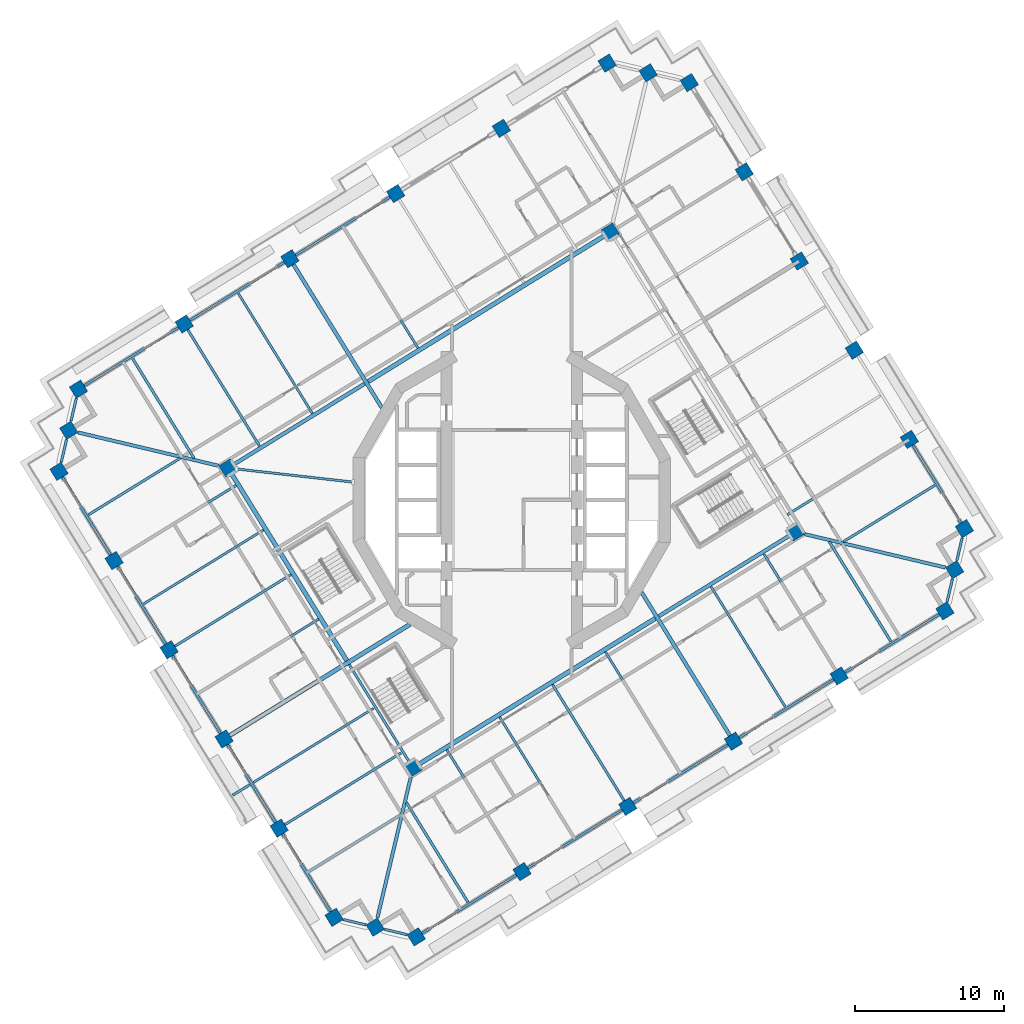
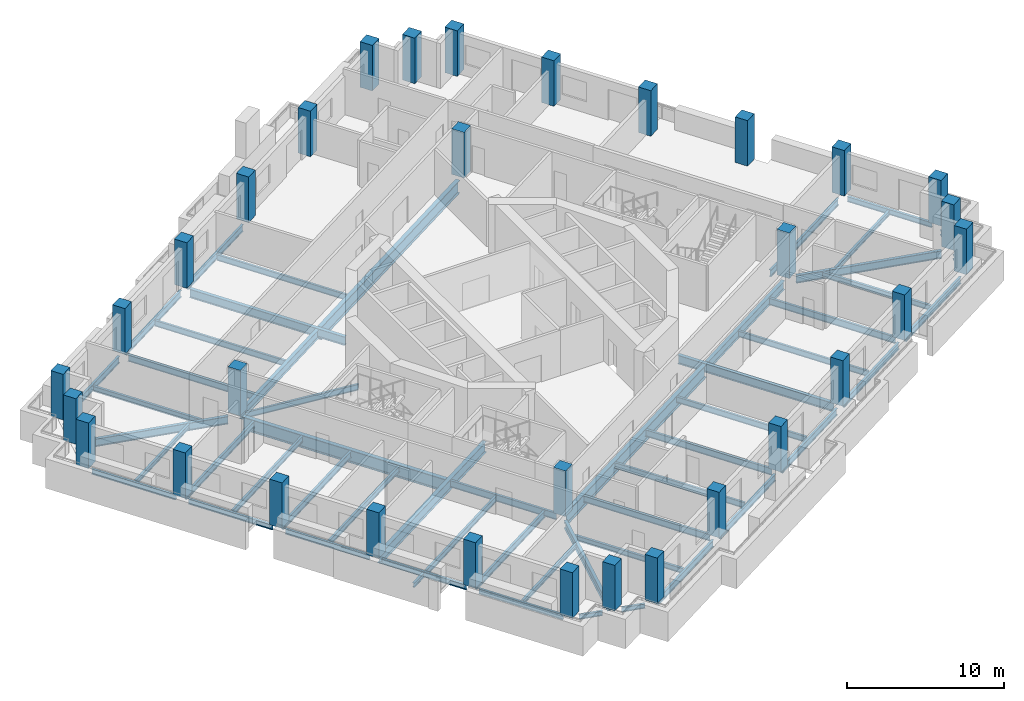
# One storey, part 1 of 20: 56 beams, 32 columns.
"""IFC4 building model written with IfcOpenShell, lengths in metres."""

from ifc_helpers import new_model, si_unit, direction, frame, origin, origin_2d, place, context, subcontext, project, spatial, rectangle, i_section, extrude, material, material_profile, profile_set, type_object, element, save


model = new_model("IFC4")

# Units and contexts
model_context = context("Model", 3, precision=1e-05, world=origin(), true_north=direction((0.0, 1.0)))
body_context = subcontext(model_context, "Body", "Model", "MODEL_VIEW")
ifc_project = project(units=[si_unit("LENGTHUNIT", "METRE"), si_unit("AREAUNIT", "SQUARE_METRE"), si_unit("VOLUMEUNIT", "CUBIC_METRE"), si_unit("PLANEANGLEUNIT", "RADIAN"), si_unit("MASSUNIT", "GRAM", prefix="KILO")], contexts=[model_context])

# Site, building, storey
site_placement = place(None, origin())
site = spatial("IfcSite", under=ifc_project, at=site_placement, CompositionType="ELEMENT")
building_placement = place(site_placement, origin())
building = spatial("IfcBuilding", under=site, at=building_placement, Name="Cantera Rosa Tower", CompositionType="ELEMENT")
storey_placement = place(building_placement, frame((0.0, 0.0, 181.800048828125)))
storey = spatial("IfcBuildingStorey", under=building, at=storey_placement, Name="L40", CompositionType="ELEMENT", Elevation=181.800048828125)

# Columns
ifc_material_1 = material(Name="Concrete C60/75", Category="concrete")
ifc_material_profile_1 = material_profile(ifc_material_1, rectangle(XDim=0.89990234375, YDim=0.89990234375, at=origin_2d()), Name="RC COLUMN RC900X900 C60/75")
ifc_profile_set_1 = profile_set([ifc_material_profile_1], Name="Concrete C60/75")
column_type_1 = type_object("IfcColumnType", Name="RC COLUMN RC900X900 C60/75", PredefinedType="COLUMN", material=ifc_profile_set_1)
for number, where, z_axis, x_axis, name in (
    (1, (30.321044921875, -1.917724609375, 0.0), (0.0, 0.0, 1.0), (0.851116672434, 0.52497658034, 0.0), "C-Z3-01 L40"),
    (2, (26.6357421875, 4.05712890625, 0.0), (0.0, 0.0, 1.0), (0.851116672434, 0.52497658034, 0.0), "C-Z3-02 L40"),
    (3, (22.950439453125, 10.031982421875, 0.0), (0.0, 0.0, 1.0), (0.851116672434, 0.52497658034, 0.0), "C-Z3-03 L40"),
    (4, (19.26513671875, 16.0068359375, 0.0), (0.0, 0.0, 1.0), (0.851116672434, 0.52497658034, 0.0), "C-Z3-04 L40"),
    (5, (15.57958984375, 21.981689453125, 0.0), (0.0, 0.0, 1.0), (0.851116672434, 0.52497658034, 0.0), "C-Z3-05 L40"),
    (6, (11.894287109375, 27.95654296875, 0.0), (0.0, 0.0, 1.0), (0.851116672434, 0.52497658034, 0.0), "C-Z3-06 L40"),
    (7, (9.14208984375, 28.60888671875, 0.0), (0.0, 0.0, 1.0), (0.851116672434, 0.52497658034, 0.0), "C-Z3-07 L40"),
    (8, (6.389892578125, 29.260986328125, 0.0), (0.0, 0.0, 1.0), (0.851116672434, 0.52497658034, 0.0), "C-Z3-08 L40"),
    (9, (-0.69140625, 24.893310546875, 0.0), (0.0, 0.0, 1.0), (0.851116672434, 0.52497658034, 0.0), "C-Z3-09 L40"),
    (10, (-7.772705078125, 20.525390625, 0.0), (0.0, 0.0, 1.0), (0.851116672434, 0.52497658034, 0.0), "C-Z3-10 L40"),
    (11, (-14.85400390625, 16.15771484375, 0.0), (0.0, 0.0, 1.0), (0.851116672434, 0.52497658034, 0.0), "C-Z3-11 L40"),
    (12, (-21.935302734375, 11.789794921875, 0.0), (0.0, 0.0, 1.0), (0.851116672434, 0.52497658034, 0.0), "C-Z3-12 L40"),
    (13, (-29.016357421875, 7.422119140625, 0.0), (0.0, 0.0, 1.0), (0.851116672434, 0.52497658034, 0.0), "C-Z3-13 L40"),
    (14, (-29.668701171875, 4.669921875, 0.0), (0.0, 0.0, 1.0), (0.851116672434, 0.52497658034, 0.0), "C-Z3-14 L40"),
    (15, (-30.321044921875, 1.917724609375, 0.0), (0.0, 0.0, 1.0), (0.851116672434, 0.52497658034, 0.0), "C-Z3-15 L40"),
    (16, (-26.6357421875, -4.05712890625, 0.0), (0.0, 0.0, 1.0), (0.851116672434, 0.52497658034, 0.0), "C-Z3-16 L40"),
    (17, (-22.950439453125, -10.031982421875, 0.0), (0.0, 0.0, 1.0), (0.851116672434, 0.52497658034, 0.0), "C-Z3-17 L40"),
    (18, (-19.26513671875, -16.0068359375, 0.0), (0.0, 0.0, 1.0), (0.851116672434, 0.52497658034, 0.0), "C-Z3-18 L40"),
    (19, (-15.57958984375, -21.981689453125, 0.0), (0.0, 0.0, 1.0), (0.851116672434, 0.52497658034, 0.0), "C-Z3-19 L40"),
    (20, (-11.894287109375, -27.95654296875, 0.0), (0.0, 0.0, 1.0), (0.851116672434, 0.52497658034, 0.0), "C-Z3-20 L40"),
    (21, (-9.14208984375, -28.60888671875, 0.0), (0.0, 0.0, 1.0), (0.851116672434, 0.52497658034, 0.0), "C-Z3-21 L40"),
    (22, (-6.389892578125, -29.260986328125, 0.0), (0.0, 0.0, 1.0), (0.851116672434, 0.52497658034, 0.0), "C-Z3-22 L40"),
    (23, (0.69140625, -24.893310546875, 0.0), (0.0, 0.0, 1.0), (0.851116672434, 0.52497658034, 0.0), "C-Z3-23 L40"),
    (24, (7.772705078125, -20.525390625, 0.0), (0.0, 0.0, 1.0), (0.851116672434, 0.52497658034, 0.0), "C-Z3-24 L40"),
    (25, (14.85400390625, -16.15771484375, 0.0), (0.0, 0.0, 1.0), (0.851116672434, 0.52497658034, 0.0), "C-Z3-25 L40"),
    (26, (21.935302734375, -11.789794921875, 0.0), (0.0, 0.0, 1.0), (0.851116672434, 0.52497658034, 0.0), "C-Z3-26 L40"),
    (27, (29.016357421875, -7.422119140625, 0.0), (0.0, 0.0, 1.0), (0.851116672434, 0.52497658034, 0.0), "C-Z3-27 L40"),
    (28, (29.668701171875, -4.669921875, 0.0), (0.0, 0.0, 1.0), (0.851116672434, 0.52497658034, 0.0), "C-Z3-28 L40"),
):
    element("IfcColumn", number, at=place(storey_placement, frame(where, z_axis=z_axis, x_axis=x_axis)), inside=storey, type_object=column_type_1, Name=name, PredefinedType="COLUMN", context=body_context, shape_type="SweptSolid", body=[
        extrude(rectangle(XDim=0.89990234375, YDim=0.89990234375, at=origin_2d()), origin(), (0.0, 0.0, 1.0), 3.550048828125),
    ])
ifc_material_2 = material(Name="Concrete C60/75", Category="concrete")
ifc_material_profile_2 = material_profile(ifc_material_2, rectangle(XDim=0.89990234375, YDim=0.89990234375, at=origin_2d()), Name="RC RING COLUMN RC900X900 C60/75")
ifc_profile_set_2 = profile_set([ifc_material_profile_2], Name="Concrete C60/75")
column_type_2 = type_object("IfcColumnType", Name="RC RING COLUMN RC900X900 C60/75", PredefinedType="COLUMN", material=ifc_profile_set_2)
for number, where, z_axis, x_axis, name in (
    (29, (6.614501953125, 17.944091796875, 0.0), (0.0, 0.0, 1.0), (0.851116672434, 0.52497658034, 0.0), "CI-Z3-1 L40"),
    (30, (-19.004150390625, 2.142333984375, 0.0), (0.0, 0.0, 1.0), (0.851116672434, 0.52497658034, 0.0), "CI-Z3-2 L40"),
    (31, (-6.614501953125, -17.944091796875, 0.0), (0.0, 0.0, 1.0), (0.851116672434, 0.52497658034, 0.0), "CI-Z3-3 L40"),
    (32, (19.004150390625, -2.142333984375, 0.0), (0.0, 0.0, 1.0), (0.851116672434, 0.52497658034, 0.0), "CI-Z3-4 L40"),
):
    element("IfcColumn", number, at=place(storey_placement, frame(where, z_axis=z_axis, x_axis=x_axis)), inside=storey, type_object=column_type_2, Name=name, PredefinedType="COLUMN", context=body_context, shape_type="SweptSolid", body=[
        extrude(rectangle(XDim=0.89990234375, YDim=0.89990234375, at=origin_2d()), origin(), (0.0, 0.0, 1.0), 3.550048828125),
    ])

# Beams
ifc_material_3 = material(Name="Steel ASTM A992 (Fy 345 MPa)", Category="steel")
ifc_material_profile_3 = material_profile(ifc_material_3, i_section(OverallWidth=0.300048828125, OverallDepth=0.990966796875, WebThickness=0.0166015625, FlangeThickness=0.030517578125, FilletRadius=0.030029296875, at=origin_2d()), Name="W1000X272")
ifc_profile_set_3 = profile_set([ifc_material_profile_3], Name="Steel ASTM A992 (Fy 345 MPa)")
beam_type_1 = type_object("IfcBeamType", Name="STEEL BEAM W1000X272", PredefinedType="BEAM", material=ifc_profile_set_3)
beam_1_placement = place(storey_placement, frame((-11.04541015625, -10.7607421875, -0.74560546875), z_axis=(-0.524974072618, 0.851118219215, 0.0), x_axis=(-0.851118219215, -0.524974072618, 0.0)))
element("IfcBeam", 33, at=beam_1_placement, inside=storey, type_object=beam_type_1, Name="RB-Z3-08 L40", PredefinedType="BEAM", context=body_context, shape_type="SweptSolid", body=[
    extrude(i_section(OverallWidth=0.300048828125, OverallDepth=0.990966796875, WebThickness=0.0166015625, FlangeThickness=0.030517578125, FilletRadius=0.030029296875, at=origin_2d()), origin(), (0.0, 0.0, 1.0), 14.7099609375),
])
ifc_material_4 = material(Name="Steel ASTM A992 (Fy 345 MPa)", Category="steel")
ifc_material_profile_4 = material_profile(ifc_material_4, i_section(OverallWidth=0.302001953125, OverallDepth=1.010009765625, WebThickness=0.02099609375, FlangeThickness=0.0400390625, FilletRadius=0.030029296875, at=origin_2d()), Name="W1000X350")
ifc_profile_set_4 = profile_set([ifc_material_profile_4], Name="Steel ASTM A992 (Fy 345 MPa)")
beam_type_2 = type_object("IfcBeamType", Name="STEEL BEAM W1000X350", PredefinedType="BEAM", material=ifc_profile_set_4)
for number, where, z_axis, x_axis, name in (
    (34, (-9.607666015625, 7.93798828125, -0.755126953125), (0.851118702028, 0.524973289852, 0.0), (-0.524973289852, 0.851118702028, 0.0), "RB-Z3-02 L40"),
    (35, (-6.231689453125, -17.707763671875, -0.755126953125), (0.851118702028, 0.524973289852, 0.0), (-0.524973289852, 0.851118702028, 0.0), "RB-Z3-03 L40"),
):
    element("IfcBeam", number, at=place(storey_placement, frame(where, z_axis=z_axis, x_axis=x_axis)), inside=storey, type_object=beam_type_2, Name=name, PredefinedType="BEAM", context=body_context, shape_type="SweptSolid", body=[
        extrude(i_section(OverallWidth=0.302001953125, OverallDepth=1.010009765625, WebThickness=0.02099609375, FlangeThickness=0.0400390625, FilletRadius=0.030029296875, at=origin_2d()), origin(), (0.0, 0.0, 1.0), 18.610107421875),
    ])
ifc_material_5 = material(Name="Steel ASTM A992 (Fy 345 MPa)", Category="steel")
ifc_material_profile_5 = material_profile(ifc_material_5, i_section(OverallWidth=0.154052734375, OverallDepth=0.4599609375, WebThickness=0.009033203125, FlangeThickness=0.015380859375, FilletRadius=0.01025390625, at=origin_2d()), Name="W460X68")
ifc_profile_set_5 = profile_set([ifc_material_profile_5], Name="Steel ASTM A992 (Fy 345 MPa)")
beam_type_3 = type_object("IfcBeamType", Name="STEEL BEAM W460X68", PredefinedType="BEAM", material=ifc_profile_set_5)
beam_2_placement = place(storey_placement, frame((-18.435791015625, 2.078125, -0.47998046875), z_axis=(0.993707483767, -0.11200641368, 0.0), x_axis=(0.11200641368, 0.993707483767, 0.0)))
element("IfcBeam", 36, at=beam_2_placement, inside=storey, type_object=beam_type_3, Name="PG-Z3-01 L40", PredefinedType="BEAM", context=body_context, shape_type="SweptSolid", body=[
    extrude(i_section(OverallWidth=0.154052734375, OverallDepth=0.4599609375, WebThickness=0.009033203125, FlangeThickness=0.015380859375, FilletRadius=0.01025390625, at=origin_2d()), origin(), (0.0, 0.0, 1.0), 7.860107421875),
])
ifc_material_6 = material(Name="Steel ASTM A992 (Fy 345 MPa)", Category="steel")
ifc_material_profile_6 = material_profile(ifc_material_6, i_section(OverallWidth=0.166015625, OverallDepth=0.528076171875, WebThickness=0.009765625, FlangeThickness=0.013671875, FilletRadius=0.0126953125, at=origin_2d()), Name="W530X74")
ifc_profile_set_6 = profile_set([ifc_material_profile_6], Name="Steel ASTM A992 (Fy 345 MPa)")
beam_type_4 = type_object("IfcBeamType", Name="STEEL BEAM W530X74", PredefinedType="BEAM", material=ifc_profile_set_6)
for number, where, z_axis, x_axis, name in (
    (37, (26.252685546875, 3.82080078125, -0.51416015625), (-0.851116426313, -0.524976979362, 0.0), (0.524976979362, -0.851116426313, 0.0), "G-Z3-01 L40"),
    (38, (-21.698974609375, 11.40673828125, -0.51416015625), (0.524976979362, -0.851116426313, 0.0), (0.851116426313, 0.524976979362, 0.0), "G-Z3-08 L40"),
    (39, (0.455078125, -24.51025390625, -0.51416015625), (-0.524976979362, 0.851116426313, 0.0), (-0.851116426313, -0.524976979362, 0.0), "G-Z3-09 L40"),
):
    element("IfcBeam", number, at=place(storey_placement, frame(where, z_axis=z_axis, x_axis=x_axis)), inside=storey, type_object=beam_type_4, Name=name, PredefinedType="BEAM", context=body_context, shape_type="SweptSolid", body=[
        extrude(i_section(OverallWidth=0.166015625, OverallDepth=0.528076171875, WebThickness=0.009765625, FlangeThickness=0.013671875, FilletRadius=0.0126953125, at=origin_2d()), origin(), (0.0, 0.0, 1.0), 9.14990234375),
    ])
beam_3_placement = place(storey_placement, frame((7.536376953125, -20.142578125, -0.51416015625), z_axis=(-0.524965057427, 0.851123779764, 0.0), x_axis=(-0.851123779764, -0.524965057427, 0.0)))
element("IfcBeam", 40, at=beam_3_placement, inside=storey, type_object=beam_type_4, Name="G-Z3-10 L40", PredefinedType="BEAM", context=body_context, shape_type="SweptSolid", body=[
    extrude(i_section(OverallWidth=0.166015625, OverallDepth=0.528076171875, WebThickness=0.009765625, FlangeThickness=0.013671875, FilletRadius=0.0126953125, at=origin_2d()), origin(), (0.0, 0.0, 1.0), 9.150146484375),
])
for number, where, z_axis, x_axis, name in (
    (41, (21.698974609375, -11.40673828125, -0.51416015625), (-0.524976979362, 0.851116426313, 0.0), (-0.851116426313, -0.524976979362, 0.0), "G-Z3-12 L40"),
    (42, (-26.252685546875, -3.82080078125, -0.51416015625), (0.851116426313, 0.524976979362, 0.0), (-0.524976979362, 0.851116426313, 0.0), "G-Z3-13 L40"),
):
    element("IfcBeam", number, at=place(storey_placement, frame(where, z_axis=z_axis, x_axis=x_axis)), inside=storey, type_object=beam_type_4, Name=name, PredefinedType="BEAM", context=body_context, shape_type="SweptSolid", body=[
        extrude(i_section(OverallWidth=0.166015625, OverallDepth=0.528076171875, WebThickness=0.009765625, FlangeThickness=0.013671875, FilletRadius=0.0126953125, at=origin_2d()), origin(), (0.0, 0.0, 1.0), 9.14990234375),
    ])
for number, where, z_axis, x_axis, name in (
    (43, (-22.5673828125, -9.795654296875, -0.51416015625), (0.851123779764, 0.524965057427, 0.0), (-0.524965057427, 0.851123779764, 0.0), "G-Z3-14 L40"),
    (44, (-15.19677734375, -21.745361328125, -0.51416015625), (0.851123779764, 0.524965057427, 0.0), (-0.524965057427, 0.851123779764, 0.0), "G-Z3-16 L40"),
):
    element("IfcBeam", number, at=place(storey_placement, frame(where, z_axis=z_axis, x_axis=x_axis)), inside=storey, type_object=beam_type_4, Name=name, PredefinedType="BEAM", context=body_context, shape_type="SweptSolid", body=[
        extrude(i_section(OverallWidth=0.166015625, OverallDepth=0.528076171875, WebThickness=0.009765625, FlangeThickness=0.013671875, FilletRadius=0.0126953125, at=origin_2d()), origin(), (0.0, 0.0, 1.0), 9.150146484375),
    ])
beam_4_placement = place(storey_placement, frame((-6.850830078125, -17.56103515625, -0.51416015625), z_axis=(-0.52497571981, 0.851117203216, 0.0), x_axis=(-0.851117203216, -0.52497571981, 0.0)))
element("IfcBeam", 45, at=beam_4_placement, inside=storey, type_object=beam_type_4, Name="RB-Z3-07 L40", PredefinedType="BEAM", context=body_context, shape_type="SweptSolid", body=[
    extrude(i_section(OverallWidth=0.166015625, OverallDepth=0.528076171875, WebThickness=0.009765625, FlangeThickness=0.013671875, FilletRadius=0.0126953125, at=origin_2d()), origin(), (0.0, 0.0, 1.0), 7.690185546875),
])
ifc_material_7 = material(Name="Steel ASTM A992 (Fy 345 MPa)", Category="steel")
ifc_material_profile_7 = material_profile(ifc_material_7, i_section(OverallWidth=0.22802734375, OverallDepth=0.60205078125, WebThickness=0.010498046875, FlangeThickness=0.014892578125, FilletRadius=0.0126953125, at=origin_2d()), Name="W610X101")
ifc_profile_set_7 = profile_set([ifc_material_profile_7], Name="Steel ASTM A992 (Fy 345 MPa)")
beam_type_5 = type_object("IfcBeamType", Name="STEEL BEAM W610X101", PredefinedType="BEAM", material=ifc_profile_set_7)
for number, where, z_axis, x_axis, name in (
    (46, (-29.049560546875, 4.523193359375, -0.551025390625), (0.973043389436, -0.230622120091, 0.0), (0.230622120091, 0.973043389436, 0.0), "CB-Z3-02 L40"),
    (47, (-8.995361328125, -27.989501953125, -0.551025390625), (0.230622120091, 0.973043389436, 0.0), (-0.973043389436, 0.230622120091, 0.0), "CB-Z3-03 L40"),
    (48, (29.049560546875, -4.523193359375, -0.551025390625), (-0.973043389436, 0.230622120091, 0.0), (-0.230622120091, -0.973043389436, 0.0), "CB-Z3-04 L40"),
):
    element("IfcBeam", number, at=place(storey_placement, frame(where, z_axis=z_axis, x_axis=x_axis)), inside=storey, type_object=beam_type_5, Name=name, PredefinedType="BEAM", context=body_context, shape_type="SweptSolid", body=[
        extrude(i_section(OverallWidth=0.22802734375, OverallDepth=0.60205078125, WebThickness=0.010498046875, FlangeThickness=0.014892578125, FilletRadius=0.0126953125, at=origin_2d()), origin(), (0.0, 0.0, 1.0), 9.6875),
    ])
ifc_material_8 = material(Name="Steel ASTM A992 (Fy 345 MPa)", Category="steel")
ifc_material_profile_8 = material_profile(ifc_material_8, i_section(OverallWidth=0.25390625, OverallDepth=0.677978515625, WebThickness=0.01171875, FlangeThickness=0.016357421875, FilletRadius=0.01513671875, at=origin_2d()), Name="W690X125")
ifc_profile_set_8 = profile_set([ifc_material_profile_8], Name="Steel ASTM A992 (Fy 345 MPa)")
beam_type_6 = type_object("IfcBeamType", Name="STEEL BEAM W690X125", PredefinedType="BEAM", material=ifc_profile_set_8)
for number, where, z_axis, x_axis, name in (
    (49, (-14.61767578125, 15.774658203125, -0.589111328125), (0.524984160378, -0.85111199695, 0.0), (0.85111199695, 0.524984160378, 0.0), "G-Z3-07 L40"),
    (50, (14.61767578125, -15.774658203125, -0.589111328125), (-0.524984160378, 0.85111199695, 0.0), (-0.85111199695, -0.524984160378, 0.0), "G-Z3-11 L40"),
):
    element("IfcBeam", number, at=place(storey_placement, frame(where, z_axis=z_axis, x_axis=x_axis)), inside=storey, type_object=beam_type_6, Name=name, PredefinedType="BEAM", context=body_context, shape_type="SweptSolid", body=[
        extrude(i_section(OverallWidth=0.25390625, OverallDepth=0.677978515625, WebThickness=0.01171875, FlangeThickness=0.016357421875, FilletRadius=0.01513671875, at=origin_2d()), origin(), (0.0, 0.0, 1.0), 11.271728515625),
    ])
for number, where, z_axis, x_axis, name in (
    (51, (-18.62109375, 2.37841796875, -0.589111328125), (0.851114508358, 0.524980088825, 0.0), (-0.524980088825, 0.851114508358, 0.0), "RB-Z3-01 L40"),
    (52, (9.863037109375, -7.780517578125, -0.589111328125), (0.851114508358, 0.524980088825, 0.0), (-0.524980088825, 0.851114508358, 0.0), "RB-Z3-04 L40"),
):
    element("IfcBeam", number, at=place(storey_placement, frame(where, z_axis=z_axis, x_axis=x_axis)), inside=storey, type_object=beam_type_6, Name=name, PredefinedType="BEAM", context=body_context, shape_type="SweptSolid", body=[
        extrude(i_section(OverallWidth=0.25390625, OverallDepth=0.677978515625, WebThickness=0.01171875, FlangeThickness=0.016357421875, FilletRadius=0.01513671875, at=origin_2d()), origin(), (0.0, 0.0, 1.0), 10.2900390625),
    ])
ifc_material_9 = material(Name="Steel ASTM A992 (Fy 345 MPa)", Category="steel")
ifc_material_profile_9 = material_profile(ifc_material_9, i_section(OverallWidth=0.2919921875, OverallDepth=0.8359375, WebThickness=0.013916015625, FlangeThickness=0.018798828125, FilletRadius=0.017822265625, at=origin_2d()), Name="W840X176")
ifc_profile_set_9 = profile_set([ifc_material_profile_9], Name="Steel ASTM A992 (Fy 345 MPa)")
beam_type_7 = type_object("IfcBeamType", Name="STEEL BEAM W840X176", PredefinedType="BEAM", material=ifc_profile_set_9)
beam_5_placement = place(storey_placement, frame((-18.882080078125, -15.7705078125, -0.66796875), z_axis=(0.8511231456, 0.524966085595, 0.0), x_axis=(-0.524966085595, 0.8511231456, 0.0)))
element("IfcBeam", 53, at=beam_5_placement, inside=storey, type_object=beam_type_7, Name="G-Z3-15 L40", PredefinedType="BEAM", context=body_context, shape_type="SweptSolid", body=[
    extrude(i_section(OverallWidth=0.2919921875, OverallDepth=0.8359375, WebThickness=0.013916015625, FlangeThickness=0.018798828125, FilletRadius=0.017822265625, at=origin_2d()), origin(), (0.0, 0.0, 1.0), 14.17138671875),
])
ifc_material_10 = material(Name="Steel ASTM A992 (Fy 345 MPa)", Category="steel")
ifc_material_profile_10 = material_profile(ifc_material_10, i_section(OverallWidth=0.1708984375, OverallDepth=0.35595703125, WebThickness=0.00732421875, FlangeThickness=0.01171875, FilletRadius=0.010009765625, at=origin_2d()), Name="W360X51")
ifc_profile_set_10 = profile_set([ifc_material_profile_10], Name="Steel ASTM A992 (Fy 345 MPa)")
beam_type_8 = type_object("IfcBeamType", Name="STEEL JOIST W360X51", PredefinedType="JOIST", material=ifc_profile_set_10)
for number, where, z_axis, x_axis, name in (
    (54, (28.3505859375, 0.990966796875, -0.427978515625), (-0.851109089911, -0.524988873283, 0.0), (0.524988873283, -0.851109089911, 0.0), "B-Z3-01 L40"),
    (55, (-28.3505859375, -0.990966796875, -0.427978515625), (0.851109089911, 0.524988873283, 0.0), (-0.524988873283, 0.851109089911, 0.0), "B-Z3-16 L40"),
    (56, (-13.609375, -24.890380859375, -0.427978515625), (0.851109089911, 0.524988873283, 0.0), (-0.524988873283, 0.851109089911, 0.0), "B-Z3-20 L40"),
):
    element("IfcBeam", number, at=place(storey_placement, frame(where, z_axis=z_axis, x_axis=x_axis)), inside=storey, type_object=beam_type_8, Name=name, PredefinedType="JOIST", context=body_context, shape_type="SweptSolid", body=[
        extrude(i_section(OverallWidth=0.1708984375, OverallDepth=0.35595703125, WebThickness=0.00732421875, FlangeThickness=0.01171875, FilletRadius=0.010009765625, at=origin_2d()), origin(), (0.0, 0.0, 1.0), 7.2099609375),
    ])
beam_6_placement = place(storey_placement, frame((-17.532958984375, -19.0625, -0.427978515625), z_axis=(-0.851111635158, -0.52498474692, 0.0), x_axis=(0.52498474692, -0.851111635158, 0.0)))
element("IfcBeam", 57, at=beam_6_placement, inside=storey, type_object=beam_type_8, Name="BS-Z3-25 L40", PredefinedType="JOIST", context=body_context, shape_type="SweptSolid", body=[
    extrude(i_section(OverallWidth=0.1708984375, OverallDepth=0.35595703125, WebThickness=0.00732421875, FlangeThickness=0.01171875, FilletRadius=0.010009765625, at=origin_2d()), origin(), (0.0, 0.0, 1.0), 1.3505859375),
])
ifc_material_11 = material(Name="Steel ASTM A992 (Fy 345 MPa)", Category="steel")
ifc_material_profile_11 = material_profile(ifc_material_11, i_section(OverallWidth=0.177978515625, OverallDepth=0.406005859375, WebThickness=0.0078125, FlangeThickness=0.0126953125, FilletRadius=0.01025390625, at=origin_2d()), Name="W410X60")
ifc_profile_set_11 = profile_set([ifc_material_profile_11], Name="Steel ASTM A992 (Fy 345 MPa)")
beam_type_9 = type_object("IfcBeamType", Name="STEEL JOIST W410X60", PredefinedType="JOIST", material=ifc_profile_set_11)
beam_7_placement = place(storey_placement, frame((-25.39697265625, 9.478271484375, -0.453125), z_axis=(0.524972339906, -0.851119287958, 0.0), x_axis=(0.851119287958, 0.524972339906, 0.0)))
element("IfcBeam", 58, at=beam_7_placement, inside=storey, type_object=beam_type_9, Name="B-Z3-10 L40", PredefinedType="JOIST", context=body_context, shape_type="SweptSolid", body=[
    extrude(i_section(OverallWidth=0.177978515625, OverallDepth=0.406005859375, WebThickness=0.0078125, FlangeThickness=0.0126953125, FilletRadius=0.01025390625, at=origin_2d()), origin(), (0.0, 0.0, 1.0), 7.85986328125),
])
beam_8_placement = place(storey_placement, frame((-2.927978515625, -26.949462890625, -0.453125), z_axis=(-0.524994840515, 0.85110540912, 0.0), x_axis=(-0.85110540912, -0.524994840515, 0.0)))
element("IfcBeam", 59, at=beam_8_placement, inside=storey, type_object=beam_type_9, Name="B-Z3-11 L40", PredefinedType="JOIST", context=body_context, shape_type="SweptSolid", body=[
    extrude(i_section(OverallWidth=0.177978515625, OverallDepth=0.406005859375, WebThickness=0.0078125, FlangeThickness=0.0126953125, FilletRadius=0.01025390625, at=origin_2d()), origin(), (0.0, 0.0, 1.0), 7.860107421875),
])
beam_9_placement = place(storey_placement, frame((25.39697265625, -9.478271484375, -0.453125), z_axis=(-0.524972339906, 0.851119287958, 0.0), x_axis=(-0.851119287958, -0.524972339906, 0.0)))
element("IfcBeam", 60, at=beam_9_placement, inside=storey, type_object=beam_type_9, Name="B-Z3-15 L40", PredefinedType="JOIST", context=body_context, shape_type="SweptSolid", body=[
    extrude(i_section(OverallWidth=0.177978515625, OverallDepth=0.406005859375, WebThickness=0.0078125, FlangeThickness=0.0126953125, FilletRadius=0.01025390625, at=origin_2d()), origin(), (0.0, 0.0, 1.0), 7.85986328125),
])
ifc_material_12 = material(Name="Steel ASTM A992 (Fy 345 MPa)", Category="steel")
ifc_material_profile_12 = material_profile(ifc_material_12, i_section(OverallWidth=0.154052734375, OverallDepth=0.4599609375, WebThickness=0.009033203125, FlangeThickness=0.015380859375, FilletRadius=0.01025390625, at=origin_2d()), Name="W460X68")
ifc_profile_set_12 = profile_set([ifc_material_profile_12], Name="Steel ASTM A992 (Fy 345 MPa)")
beam_type_10 = type_object("IfcBeamType", Name="STEEL JOIST W460X68", PredefinedType="JOIST", material=ifc_profile_set_12)
beam_10_placement = place(storey_placement, frame((-11.234619140625, 18.2138671875, -0.47998046875), z_axis=(0.524992267726, -0.85110699611, 0.0), x_axis=(0.85110699611, 0.524992267726, 0.0)))
element("IfcBeam", 61, at=beam_10_placement, inside=storey, type_object=beam_type_10, Name="B-Z3-08 L40", PredefinedType="JOIST", context=body_context, shape_type="SweptSolid", body=[
    extrude(i_section(OverallWidth=0.154052734375, OverallDepth=0.4599609375, WebThickness=0.009033203125, FlangeThickness=0.015380859375, FilletRadius=0.01025390625, at=origin_2d()), origin(), (0.0, 0.0, 1.0), 9.449951171875),
])
for number, where, z_axis, x_axis, name in (
    (62, (-18.315673828125, 13.84619140625, -0.47998046875), (0.524962009542, -0.851125659663, 0.0), (0.851125659663, 0.524962009542, 0.0), "B-Z3-09 L40"),
    (63, (4.1533203125, -22.581787109375, -0.47998046875), (-0.524980724235, 0.851114116427, 0.0), (-0.851114116427, -0.524980724235, 0.0), "B-Z3-12 L40"),
):
    element("IfcBeam", number, at=place(storey_placement, frame(where, z_axis=z_axis, x_axis=x_axis)), inside=storey, type_object=beam_type_10, Name=name, PredefinedType="JOIST", context=body_context, shape_type="SweptSolid", body=[
        extrude(i_section(OverallWidth=0.154052734375, OverallDepth=0.4599609375, WebThickness=0.009033203125, FlangeThickness=0.015380859375, FilletRadius=0.01025390625, at=origin_2d()), origin(), (0.0, 0.0, 1.0), 9.4501953125),
    ])
beam_11_placement = place(storey_placement, frame((11.234619140625, -18.2138671875, -0.47998046875), z_axis=(-0.524992267726, 0.85110699611, 0.0), x_axis=(-0.85110699611, -0.524992267726, 0.0)))
element("IfcBeam", 64, at=beam_11_placement, inside=storey, type_object=beam_type_10, Name="B-Z3-13 L40", PredefinedType="JOIST", context=body_context, shape_type="SweptSolid", body=[
    extrude(i_section(OverallWidth=0.154052734375, OverallDepth=0.4599609375, WebThickness=0.009033203125, FlangeThickness=0.015380859375, FilletRadius=0.01025390625, at=origin_2d()), origin(), (0.0, 0.0, 1.0), 9.449951171875),
])
beam_12_placement = place(storey_placement, frame((18.315673828125, -13.84619140625, -0.47998046875), z_axis=(-0.524962009542, 0.851125659663, 0.0), x_axis=(-0.851125659663, -0.524962009542, 0.0)))
element("IfcBeam", 65, at=beam_12_placement, inside=storey, type_object=beam_type_10, Name="B-Z3-14 L40", PredefinedType="JOIST", context=body_context, shape_type="SweptSolid", body=[
    extrude(i_section(OverallWidth=0.154052734375, OverallDepth=0.4599609375, WebThickness=0.009033203125, FlangeThickness=0.015380859375, FilletRadius=0.01025390625, at=origin_2d()), origin(), (0.0, 0.0, 1.0), 9.4501953125),
])
for number, where, z_axis, x_axis, name in (
    (66, (-24.665283203125, -6.9658203125, -0.47998046875), (0.851118539758, 0.524973552935, 0.0), (-0.524973552935, 0.851118539758, 0.0), "B-Z3-17 L40"),
    (67, (-20.97998046875, -12.940673828125, -0.47998046875), (0.851118539758, 0.524973552935, 0.0), (-0.524973552935, 0.851118539758, 0.0), "B-Z3-18 L40"),
    (68, (-17.294677734375, -18.91552734375, -0.47998046875), (0.851118539758, 0.524973552935, 0.0), (-0.524973552935, 0.851118539758, 0.0), "B-Z3-19 L40"),
):
    element("IfcBeam", number, at=place(storey_placement, frame(where, z_axis=z_axis, x_axis=x_axis)), inside=storey, type_object=beam_type_10, Name=name, PredefinedType="JOIST", context=body_context, shape_type="SweptSolid", body=[
        extrude(i_section(OverallWidth=0.154052734375, OverallDepth=0.4599609375, WebThickness=0.009033203125, FlangeThickness=0.015380859375, FilletRadius=0.01025390625, at=origin_2d()), origin(), (0.0, 0.0, 1.0), 9.449951171875),
    ])
ifc_material_13 = material(Name="Steel ASTM A992 (Fy 345 MPa)", Category="steel")
ifc_material_profile_13 = material_profile(ifc_material_13, i_section(OverallWidth=0.1708984375, OverallDepth=0.35595703125, WebThickness=0.00732421875, FlangeThickness=0.01171875, FilletRadius=0.010009765625, at=origin_2d()), Name="W360X51")
ifc_profile_set_13 = profile_set([ifc_material_profile_13], Name="Steel ASTM A992 (Fy 345 MPa)")
beam_type_11 = type_object("IfcBeamType", Name="STEEL SPANDREL BEAM W360X51", PredefinedType="SPANDREL", material=ifc_profile_set_13)
for number, where, z_axis, x_axis, name in (
    (69, (-29.163330078125, 6.802734375, -0.427978515625), (-0.230552419793, -0.973059906546, 0.0), (0.973059906546, -0.230552419793, 0.0), "EB-Z3-13 L40"),
    (70, (-29.8154296875, 4.050537109375, -0.427978515625), (-0.230701014544, -0.973024687194, 0.0), (0.973024687194, -0.230701014544, 0.0), "EB-Z3-14 L40"),
    (71, (-11.275146484375, -28.103271484375, -0.427978515625), (0.973059906546, -0.230552419793, 0.0), (0.230552419793, 0.973059906546, 0.0), "EB-Z3-20 L40"),
    (72, (-8.52294921875, -28.755615234375, -0.427978515625), (0.973059906546, -0.230552419793, 0.0), (0.230552419793, 0.973059906546, 0.0), "EB-Z3-21 L40"),
    (73, (29.163330078125, -6.802734375, -0.427978515625), (0.230552419793, 0.973059906546, 0.0), (-0.973059906546, 0.230552419793, 0.0), "EB-Z3-27 L40"),
    (74, (29.8154296875, -4.050537109375, -0.427978515625), (0.230701014544, 0.973024687194, 0.0), (-0.973024687194, 0.230701014544, 0.0), "EB-Z3-28 L40"),
):
    element("IfcBeam", number, at=place(storey_placement, frame(where, z_axis=z_axis, x_axis=x_axis)), inside=storey, type_object=beam_type_11, Name=name, PredefinedType="SPANDREL", context=body_context, shape_type="SweptSolid", body=[
        extrude(i_section(OverallWidth=0.1708984375, OverallDepth=0.35595703125, WebThickness=0.00732421875, FlangeThickness=0.01171875, FilletRadius=0.010009765625, at=origin_2d()), origin(), (0.0, 0.0, 1.0), 1.5556640625),
    ])
ifc_material_14 = material(Name="Steel ASTM A992 (Fy 345 MPa)", Category="steel")
ifc_material_profile_14 = material_profile(ifc_material_14, i_section(OverallWidth=0.177978515625, OverallDepth=0.406005859375, WebThickness=0.0078125, FlangeThickness=0.0126953125, FilletRadius=0.01025390625, at=origin_2d()), Name="W410X60")
ifc_profile_set_14 = profile_set([ifc_material_profile_14], Name="Steel ASTM A992 (Fy 345 MPa)")
beam_type_12 = type_object("IfcBeamType", Name="STEEL SPANDREL BEAM W410X60", PredefinedType="SPANDREL", material=ifc_profile_set_14)
for number, where, z_axis, x_axis, name in (
    (75, (30.084716796875, -1.53466796875, -0.453125), (-0.524987447654, 0.851109969279, 0.0), (-0.851109969279, -0.524987447654, 0.0), "EB-Z3-01 L40"),
    (76, (-30.084716796875, 1.53466796875, -0.453125), (0.524987447654, -0.851109969279, 0.0), (0.851109969279, 0.524987447654, 0.0), "EB-Z3-15 L40"),
    (77, (-26.3994140625, -4.440185546875, -0.453125), (0.524987447654, -0.851109969279, 0.0), (0.851109969279, 0.524987447654, 0.0), "EB-Z3-16 L40"),
    (78, (-22.714111328125, -10.4150390625, -0.453125), (0.524987447654, -0.851109969279, 0.0), (0.851109969279, 0.524987447654, 0.0), "EB-Z3-17 L40"),
    (79, (-19.02880859375, -16.389892578125, -0.453125), (0.524987447654, -0.851109969279, 0.0), (0.851109969279, 0.524987447654, 0.0), "EB-Z3-18 L40"),
    (80, (-15.343505859375, -22.36474609375, -0.453125), (0.524987447654, -0.851109969279, 0.0), (0.851109969279, 0.524987447654, 0.0), "EB-Z3-19 L40"),
):
    element("IfcBeam", number, at=place(storey_placement, frame(where, z_axis=z_axis, x_axis=x_axis)), inside=storey, type_object=beam_type_12, Name=name, PredefinedType="SPANDREL", context=body_context, shape_type="SweptSolid", body=[
        extrude(i_section(OverallWidth=0.177978515625, OverallDepth=0.406005859375, WebThickness=0.0078125, FlangeThickness=0.0126953125, FilletRadius=0.01025390625, at=origin_2d()), origin(), (0.0, 0.0, 1.0), 6.119873046875),
    ])
ifc_material_15 = material(Name="Steel ASTM A992 (Fy 345 MPa)", Category="steel")
ifc_material_profile_15 = material_profile(ifc_material_15, i_section(OverallWidth=0.166015625, OverallDepth=0.528076171875, WebThickness=0.009765625, FlangeThickness=0.013671875, FilletRadius=0.0126953125, at=origin_2d()), Name="W530X74")
ifc_profile_set_15 = profile_set([ifc_material_profile_15], Name="Steel ASTM A992 (Fy 345 MPa)")
beam_type_13 = type_object("IfcBeamType", Name="STEEL SPANDREL BEAM W530X74", PredefinedType="SPANDREL", material=ifc_profile_set_15)
for number, where, z_axis, x_axis, name in (
    (81, (-8.155517578125, 20.289306640625, -0.51416015625), (-0.851111085575, -0.524985637909, 0.0), (0.524985637909, -0.851111085575, 0.0), "EB-Z3-10 L40"),
    (82, (-15.23681640625, 15.92138671875, -0.51416015625), (-0.85112578684, -0.524961803349, 0.0), (0.524961803349, -0.85112578684, 0.0), "EB-Z3-11 L40"),
    (83, (-22.318115234375, 11.5537109375, -0.51416015625), (-0.851111085575, -0.524985637909, 0.0), (0.524985637909, -0.851111085575, 0.0), "EB-Z3-12 L40"),
    (84, (-6.007080078125, -29.02490234375, -0.51416015625), (0.851111085575, 0.524985637909, 0.0), (-0.524985637909, 0.851111085575, 0.0), "EB-Z3-22 L40"),
    (85, (1.07421875, -24.656982421875, -0.51416015625), (0.85112578684, 0.524961803349, 0.0), (-0.524961803349, 0.85112578684, 0.0), "EB-Z3-23 L40"),
    (86, (8.155517578125, -20.289306640625, -0.51416015625), (0.851111085575, 0.524985637909, 0.0), (-0.524985637909, 0.851111085575, 0.0), "EB-Z3-24 L40"),
    (87, (15.23681640625, -15.92138671875, -0.51416015625), (0.85112578684, 0.524961803349, 0.0), (-0.524961803349, 0.85112578684, 0.0), "EB-Z3-25 L40"),
    (88, (22.318115234375, -11.5537109375, -0.51416015625), (0.851111085575, 0.524985637909, 0.0), (-0.524985637909, 0.851111085575, 0.0), "EB-Z3-26 L40"),
):
    element("IfcBeam", number, at=place(storey_placement, frame(where, z_axis=z_axis, x_axis=x_axis)), inside=storey, type_object=beam_type_13, Name=name, PredefinedType="SPANDREL", context=body_context, shape_type="SweptSolid", body=[
        extrude(i_section(OverallWidth=0.166015625, OverallDepth=0.528076171875, WebThickness=0.009765625, FlangeThickness=0.013671875, FilletRadius=0.0126953125, at=origin_2d()), origin(), (0.0, 0.0, 1.0), 7.420166015625),
    ])

save(model, "model.ifc")
